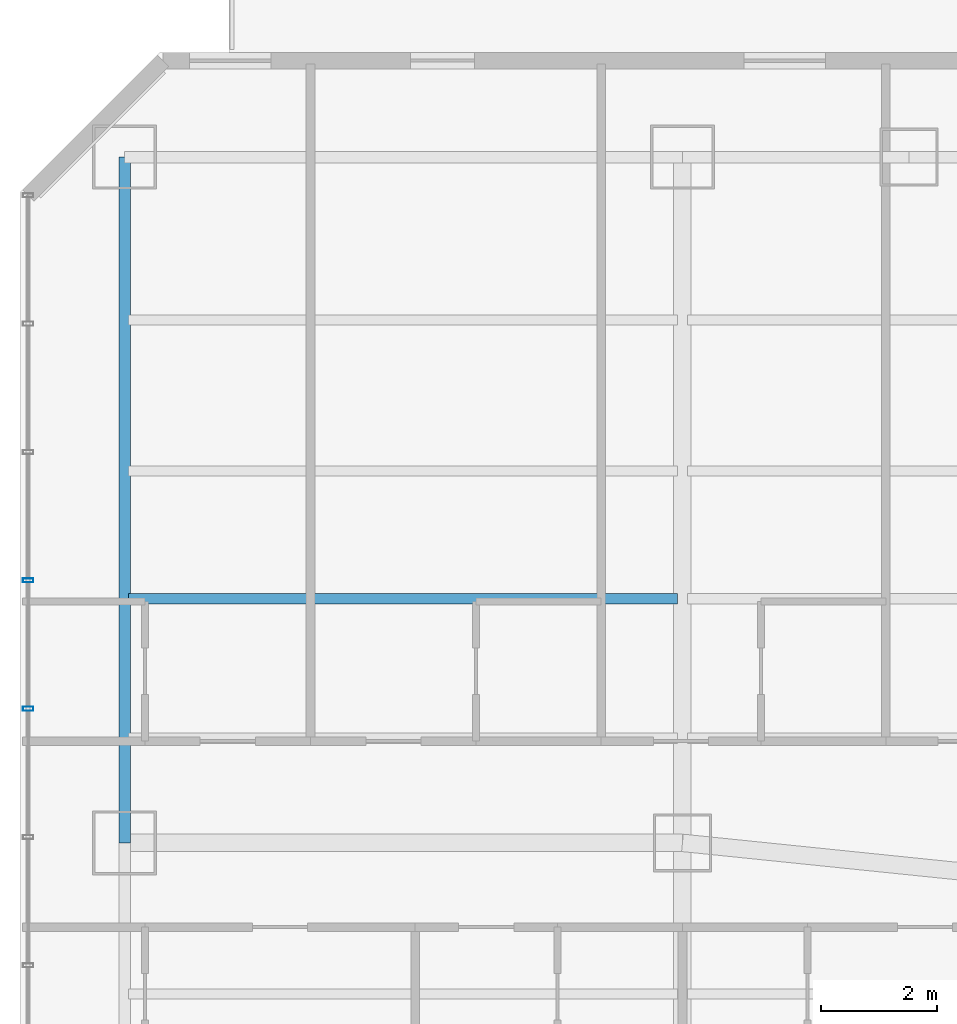
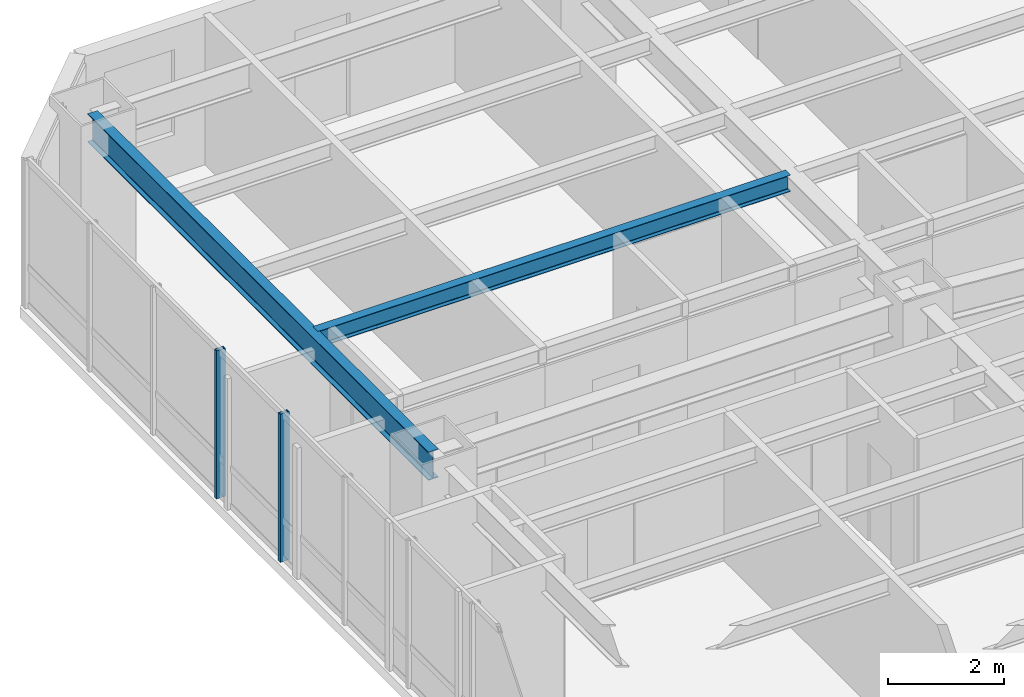
# One storey, part 14 of 32: 2 beams, 2 members, 1 element without a shape of its own.
"""IFC4 building model written with IfcOpenShell, lengths in metres."""

from ifc_helpers import new_model, si_unit, direction, frame, origin, origin_2d, place, context, subcontext, project, spatial, hollow_rectangle, i_section, extrude, material, layer, layer_set, material_profile, profile_set, type_object, element, aggregate, save


model = new_model("IFC4")

# Units and contexts
model_context = context("Model", 3, precision=1e-05, world=origin(), true_north=direction((0.0, 1.0)))
body_context = subcontext(model_context, "Body", "Model", "MODEL_VIEW")
ifc_project = project(units=[si_unit("LENGTHUNIT", "METRE"), si_unit("AREAUNIT", "SQUARE_METRE"), si_unit("VOLUMEUNIT", "CUBIC_METRE"), si_unit("PLANEANGLEUNIT", "RADIAN"), si_unit("MASSUNIT", "GRAM", prefix="KILO")], contexts=[model_context])

# Site, building, storey
site_placement = place(None, origin())
site = spatial("IfcSite", under=ifc_project, at=site_placement, CompositionType="ELEMENT")
building_placement = place(site_placement, origin())
building = spatial("IfcBuilding", under=site, at=building_placement, Name="Hatsunagi Terrace Concourse", CompositionType="ELEMENT")
storey_placement = place(building_placement, frame((0.0, 0.0, 46.64990234375)))
storey = spatial("IfcBuildingStorey", under=building, at=storey_placement, Name="L11", CompositionType="ELEMENT", Elevation=46.64990234375)

# Curtain wall, members
ifc_material_1 = material(Name="Anodised Aluminium Alloy 6063-T5", Category="aluminium")
ifc_layer = layer(ifc_material_1, 0.199951171875)
ifc_layer_set = layer_set([ifc_layer], Name="HotelFacade_CW02")
curtain_wall_type = type_object("IfcCurtainWallType", Name="HotelFacade_CW02", PredefinedType="NOTDEFINED", material=ifc_layer_set)
curtain_wall_placement = place(storey_placement, origin())
curtain_wall = element("IfcCurtainWall", 1, at=curtain_wall_placement, inside=storey, type_object=curtain_wall_type, Name="Unitised Curtain Wall CW-02 CW-L11-09", PredefinedType="NOTDEFINED")
ifc_material_2 = material(Name="Anodised Aluminium Alloy 6063-T5", Category="aluminium")
ifc_material_profile_1 = material_profile(ifc_material_2, hollow_rectangle(XDim=0.070068359375, YDim=0.179931640625, WallThickness=0.00390625, at=origin_2d()), Name="ALU-MUL-180x70x4")
ifc_profile_set_1 = profile_set([ifc_material_profile_1], Name="Anodised Aluminium Alloy 6063-T5")
member_type = type_object("IfcMemberType", Name="CurtainWallMullion_180x70", PredefinedType="MULLION", material=ifc_profile_set_1)
member_1_placement = place(storey_placement, frame((0.139892578125, 39.10791015625, 0.0), z_axis=(0.0, 0.0, 1.0), x_axis=(0.0, 1.0, 0.0)))
member_1 = element("IfcMember", 2, at=member_1_placement, type_object=member_type, Name="Curtain Wall Mullion MUL-02", PredefinedType="MULLION", context=body_context, shape_type="SweptSolid", body=[
    extrude(hollow_rectangle(XDim=0.070068359375, YDim=0.179931640625, WallThickness=0.00390625, at=origin_2d()), origin(), (0.0, 0.0, 1.0), 3.130126953125),
])
member_2_placement = place(storey_placement, frame((0.139892578125, 41.31689453125, 0.0), z_axis=(0.0, 0.0, 1.0), x_axis=(0.0, 1.0, 0.0)))
member_2 = element("IfcMember", 3, at=member_2_placement, type_object=member_type, Name="Curtain Wall Mullion MUL-02", PredefinedType="MULLION", context=body_context, shape_type="SweptSolid", body=[
    extrude(hollow_rectangle(XDim=0.070068359375, YDim=0.179931640625, WallThickness=0.00390625, at=origin_2d()), origin(), (0.0, 0.0, 1.0), 3.130126953125),
])
aggregate(curtain_wall, [member_1, member_2])

# Beams
ifc_material_3 = material(Name="Steel SN490B", Category="steel")
ifc_material_profile_2 = material_profile(ifc_material_3, i_section(OverallWidth=0.175048828125, OverallDepth=0.35009765625, WebThickness=0.007080078125, FlangeThickness=0.010986328125, FilletRadius=0.012939453125, at=origin_2d()), Name="H-350x175x7x11")
ifc_profile_set_2 = profile_set([ifc_material_profile_2], Name="Steel SN490B")
beam_type_1 = type_object("IfcBeamType", Name="HotelJoist_H_350x175", PredefinedType="JOIST", material=ifc_profile_set_2)
beam_1_placement = place(storey_placement, frame((1.864990234375, 41.0, 2.955078125), z_axis=(1.0, 0.0, 0.0), x_axis=(0.0, 1.0, 0.0)))
element("IfcBeam", 4, at=beam_1_placement, inside=storey, type_object=beam_type_1, Name="Beam J-02 J-L11-W-1-410", PredefinedType="JOIST", context=body_context, shape_type="SweptSolid", body=[
    extrude(i_section(OverallWidth=0.175048828125, OverallDepth=0.35009765625, WebThickness=0.007080078125, FlangeThickness=0.010986328125, FilletRadius=0.012939453125, at=origin_2d()), origin(), (0.0, 0.0, 1.0), 9.449951171875),
])
ifc_material_4 = material(Name="Steel SN490B", Category="steel")
ifc_material_profile_3 = material_profile(ifc_material_4, i_section(OverallWidth=0.199951171875, OverallDepth=0.60009765625, WebThickness=0.010986328125, FlangeThickness=0.01708984375, FilletRadius=0.01806640625, at=origin_2d()), Name="H-600x200x11x17")
ifc_profile_set_3 = profile_set([ifc_material_profile_3], Name="Steel SN490B")
beam_type_2 = type_object("IfcBeamType", Name="PerimeterSpandrel_H_600x200", PredefinedType="SPANDREL", material=ifc_profile_set_3)
beam_2_placement = place(storey_placement, frame((1.800048828125, 36.800048828125, 2.830078125), z_axis=(0.0, 1.0, 0.0), x_axis=(-1.0, 0.0, 0.0)))
element("IfcBeam", 5, at=beam_2_placement, inside=storey, type_object=beam_type_2, Name="Beam SP-01 BM-L11-NS-1-36", PredefinedType="SPANDREL", context=body_context, shape_type="SweptSolid", body=[
    extrude(i_section(OverallWidth=0.199951171875, OverallDepth=0.60009765625, WebThickness=0.010986328125, FlangeThickness=0.01708984375, FilletRadius=0.01806640625, at=origin_2d()), origin(), (0.0, 0.0, 1.0), 11.800048828125),
])

save(model, "model.ifc")
